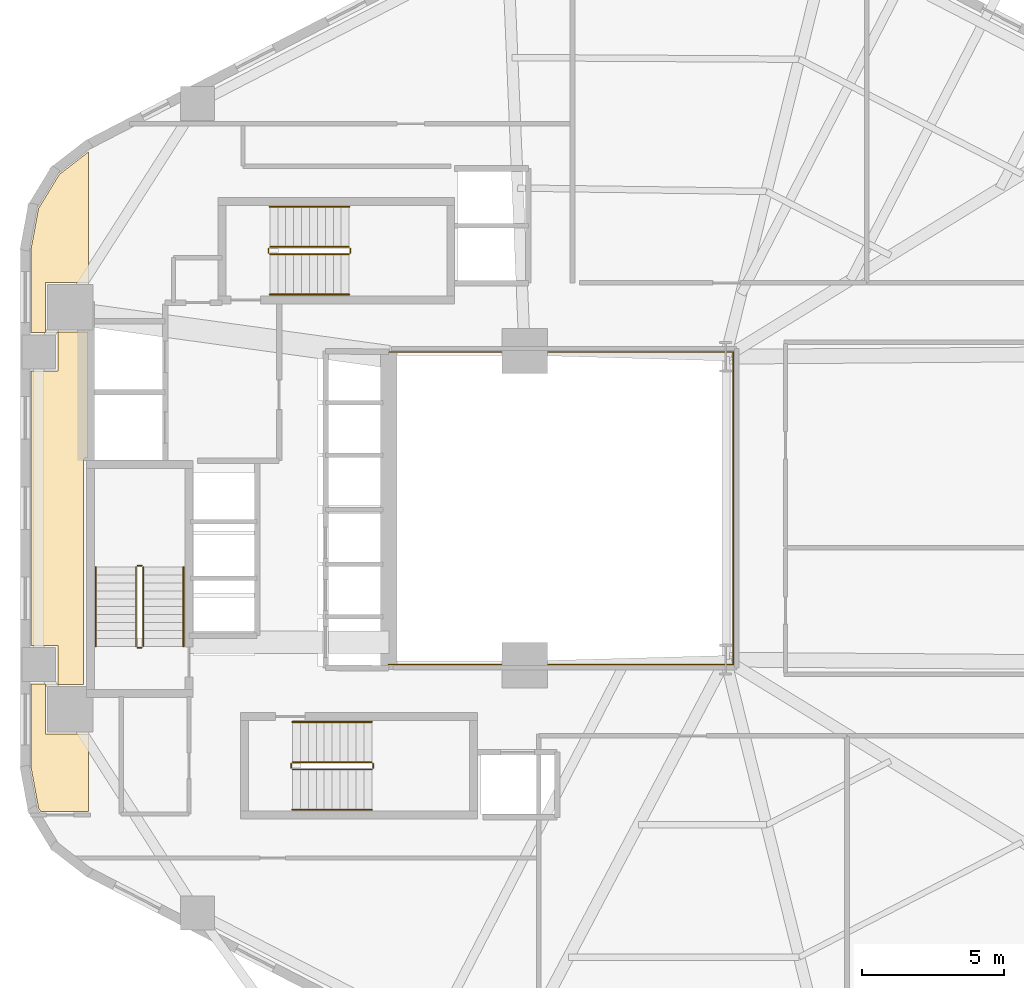
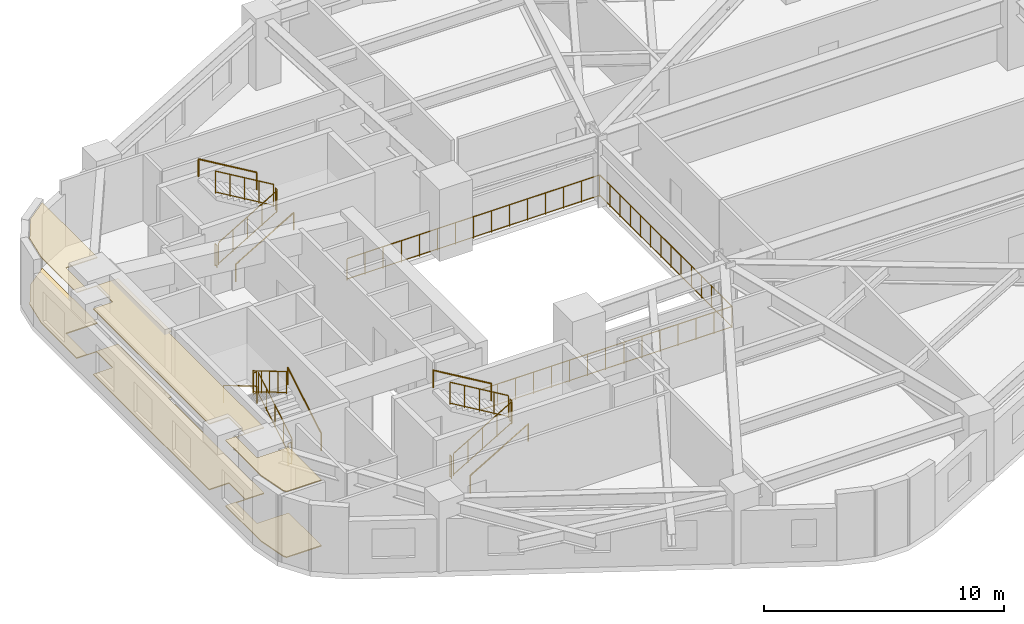
# One storey, part 6 of 6: 19 railings, 2 coverings.
"""IFC4 building model written with IfcOpenShell, lengths in metres."""

from ifc_helpers import new_model, si_unit, direction, frame, origin, origin_2d, place, context, subcontext, project, spatial, polyline, circle, outline, extrude, material, layer, layer_set, type_object, element, save


model = new_model("IFC4")

# Units and contexts
model_context = context("Model", 3, precision=1e-05, world=origin(), true_north=direction((0.0, 1.0)))
body_context = subcontext(model_context, "Body", "Model", "MODEL_VIEW")
ifc_project = project(units=[si_unit("LENGTHUNIT", "METRE"), si_unit("AREAUNIT", "SQUARE_METRE"), si_unit("VOLUMEUNIT", "CUBIC_METRE"), si_unit("PLANEANGLEUNIT", "RADIAN"), si_unit("MASSUNIT", "GRAM", prefix="KILO"), si_unit("THERMODYNAMICTEMPERATUREUNIT", "KELVIN"), si_unit("POWERUNIT", "WATT")], contexts=[model_context])

# Site, building, storey
site_placement = place(None, origin())
site = spatial("IfcSite", under=ifc_project, at=site_placement, CompositionType="ELEMENT")
building_placement = place(site_placement, origin())
building = spatial("IfcBuilding", under=site, at=building_placement, Name="Skarre Station Tower", CompositionType="ELEMENT")
storey_placement = place(building_placement, frame((0.0, 0.0, 34.300048828125)))
storey = spatial("IfcBuildingStorey", under=building, at=storey_placement, Name="L08", CompositionType="ELEMENT", Elevation=34.300048828125)

# Railing
ifc_material_1 = material(Name="Bronze Anodized Steel & Laminated Glass Balustrade", Category="steel")
railing_type_1 = type_object("IfcRailingType", Name="Atrium Void & Mezzanine Guard Balustrade 1120", PredefinedType="GUARDRAIL", material=ifc_material_1)
railing_1_placement = place(storey_placement, frame((27.550048828125, 18.47998046875, 0.0)))
element("IfcRailing", 1, at=railing_1_placement, inside=storey, type_object=railing_type_1, Name="L08 Atrium Void Guard Balustrade", PredefinedType="GUARDRAIL", context=body_context, shape_type="SweptSolid", body=[
    extrude(circle(Radius=0.02392578125, at=origin_2d()), frame((0.0, 0.0, 1.09619140625), z_axis=(1.0, 0.0, 0.0), x_axis=(0.0, 1.0, 0.0)), (0.0, 0.0, 1.0), 12.169921875),
    extrude(circle(Radius=0.02099609375, at=origin_2d()), frame((0.0, 0.0, 0.06005859375), z_axis=(1.0, 0.0, 0.0), x_axis=(0.0, 1.0, 0.0)), (0.0, 0.0, 1.0), 12.169921875),
    extrude(circle(Radius=0.02392578125, at=origin_2d()), frame((12.169921875, 0.0, 1.09619140625), z_axis=(0.0, 1.0, 0.0), x_axis=(-1.0, 0.0, 0.0)), (0.0, 0.0, 1.0), 11.0400390625),
    extrude(circle(Radius=0.02099609375, at=origin_2d()), frame((12.169921875, 0.0, 0.06005859375), z_axis=(0.0, 1.0, 0.0), x_axis=(-1.0, 0.0, 0.0)), (0.0, 0.0, 1.0), 11.0400390625),
    extrude(circle(Radius=0.02392578125, at=origin_2d()), frame((12.169921875, 11.0400390625, 1.09619140625), z_axis=(-1.0, 0.0, 0.0), x_axis=(0.0, -1.0, 0.0)), (0.0, 0.0, 1.0), 12.169921875),
    extrude(circle(Radius=0.02099609375, at=origin_2d()), frame((12.169921875, 11.0400390625, 0.06005859375), z_axis=(-1.0, 0.0, 0.0), x_axis=(0.0, -1.0, 0.0)), (0.0, 0.0, 1.0), 12.169921875),
    extrude(circle(Radius=0.02099609375, at=origin_2d()), origin(), (0.0, 0.0, 1.0), 1.072021484375),
    extrude(circle(Radius=0.02099609375, at=origin_2d()), frame((0.869384765625, 0.0, 0.0)), (0.0, 0.0, 1.0), 1.072021484375),
    extrude(circle(Radius=0.02099609375, at=origin_2d()), frame((1.738525390625, 0.0, 0.0)), (0.0, 0.0, 1.0), 1.072021484375),
    extrude(circle(Radius=0.02099609375, at=origin_2d()), frame((2.60791015625, 0.0, 0.0)), (0.0, 0.0, 1.0), 1.072021484375),
    extrude(circle(Radius=0.02099609375, at=origin_2d()), frame((3.47705078125, 0.0, 0.0)), (0.0, 0.0, 1.0), 1.072021484375),
    extrude(circle(Radius=0.02099609375, at=origin_2d()), frame((4.346435546875, 0.0, 0.0)), (0.0, 0.0, 1.0), 1.072021484375),
    extrude(circle(Radius=0.02099609375, at=origin_2d()), frame((5.215576171875, 0.0, 0.0)), (0.0, 0.0, 1.0), 1.072021484375),
    extrude(circle(Radius=0.02099609375, at=origin_2d()), frame((6.0849609375, 0.0, 0.0)), (0.0, 0.0, 1.0), 1.072021484375),
    extrude(circle(Radius=0.02099609375, at=origin_2d()), frame((6.954345703125, 0.0, 0.0)), (0.0, 0.0, 1.0), 1.072021484375),
    extrude(circle(Radius=0.02099609375, at=origin_2d()), frame((7.823486328125, 0.0, 0.0)), (0.0, 0.0, 1.0), 1.072021484375),
    extrude(circle(Radius=0.02099609375, at=origin_2d()), frame((8.69287109375, 0.0, 0.0)), (0.0, 0.0, 1.0), 1.072021484375),
    extrude(circle(Radius=0.02099609375, at=origin_2d()), frame((9.56201171875, 0.0, 0.0)), (0.0, 0.0, 1.0), 1.072021484375),
    extrude(circle(Radius=0.02099609375, at=origin_2d()), frame((10.431396484375, 0.0, 0.0)), (0.0, 0.0, 1.0), 1.072021484375),
    extrude(circle(Radius=0.02099609375, at=origin_2d()), frame((11.300537109375, 0.0, 0.0)), (0.0, 0.0, 1.0), 1.072021484375),
    extrude(circle(Radius=0.02099609375, at=origin_2d()), frame((12.169921875, 0.0, 0.0)), (0.0, 0.0, 1.0), 1.072021484375),
    extrude(circle(Radius=0.02099609375, at=origin_2d()), frame((12.169921875, 0.84912109375, 0.0)), (0.0, 0.0, 1.0), 1.072021484375),
    extrude(circle(Radius=0.02099609375, at=origin_2d()), frame((12.169921875, 1.698486328125, 0.0)), (0.0, 0.0, 1.0), 1.072021484375),
    extrude(circle(Radius=0.02099609375, at=origin_2d()), frame((12.169921875, 2.547607421875, 0.0)), (0.0, 0.0, 1.0), 1.072021484375),
    extrude(circle(Radius=0.02099609375, at=origin_2d()), frame((12.169921875, 3.39697265625, 0.0)), (0.0, 0.0, 1.0), 1.072021484375),
    extrude(circle(Radius=0.02099609375, at=origin_2d()), frame((12.169921875, 4.24609375, 0.0)), (0.0, 0.0, 1.0), 1.072021484375),
    extrude(circle(Radius=0.02099609375, at=origin_2d()), frame((12.169921875, 5.095458984375, 0.0)), (0.0, 0.0, 1.0), 1.072021484375),
    extrude(circle(Radius=0.02099609375, at=origin_2d()), frame((12.169921875, 5.944580078125, 0.0)), (0.0, 0.0, 1.0), 1.072021484375),
    extrude(circle(Radius=0.02099609375, at=origin_2d()), frame((12.169921875, 6.7939453125, 0.0)), (0.0, 0.0, 1.0), 1.072021484375),
    extrude(circle(Radius=0.02099609375, at=origin_2d()), frame((12.169921875, 7.64306640625, 0.0)), (0.0, 0.0, 1.0), 1.072021484375),
    extrude(circle(Radius=0.02099609375, at=origin_2d()), frame((12.169921875, 8.492431640625, 0.0)), (0.0, 0.0, 1.0), 1.072021484375),
    extrude(circle(Radius=0.02099609375, at=origin_2d()), frame((12.169921875, 9.341552734375, 0.0)), (0.0, 0.0, 1.0), 1.072021484375),
    extrude(circle(Radius=0.02099609375, at=origin_2d()), frame((12.169921875, 10.19091796875, 0.0)), (0.0, 0.0, 1.0), 1.072021484375),
    extrude(circle(Radius=0.02099609375, at=origin_2d()), frame((12.169921875, 11.0400390625, 0.0)), (0.0, 0.0, 1.0), 1.072021484375),
    extrude(circle(Radius=0.02099609375, at=origin_2d()), frame((11.300537109375, 11.0400390625, 0.0)), (0.0, 0.0, 1.0), 1.072021484375),
    extrude(circle(Radius=0.02099609375, at=origin_2d()), frame((10.431396484375, 11.0400390625, 0.0)), (0.0, 0.0, 1.0), 1.072021484375),
    extrude(circle(Radius=0.02099609375, at=origin_2d()), frame((9.56201171875, 11.0400390625, 0.0)), (0.0, 0.0, 1.0), 1.072021484375),
    extrude(circle(Radius=0.02099609375, at=origin_2d()), frame((8.69287109375, 11.0400390625, 0.0)), (0.0, 0.0, 1.0), 1.072021484375),
    extrude(circle(Radius=0.02099609375, at=origin_2d()), frame((7.823486328125, 11.0400390625, 0.0)), (0.0, 0.0, 1.0), 1.072021484375),
    extrude(circle(Radius=0.02099609375, at=origin_2d()), frame((6.954345703125, 11.0400390625, 0.0)), (0.0, 0.0, 1.0), 1.072021484375),
    extrude(circle(Radius=0.02099609375, at=origin_2d()), frame((6.0849609375, 11.0400390625, 0.0)), (0.0, 0.0, 1.0), 1.072021484375),
    extrude(circle(Radius=0.02099609375, at=origin_2d()), frame((5.215576171875, 11.0400390625, 0.0)), (0.0, 0.0, 1.0), 1.072021484375),
    extrude(circle(Radius=0.02099609375, at=origin_2d()), frame((4.346435546875, 11.0400390625, 0.0)), (0.0, 0.0, 1.0), 1.072021484375),
    extrude(circle(Radius=0.02099609375, at=origin_2d()), frame((3.47705078125, 11.0400390625, 0.0)), (0.0, 0.0, 1.0), 1.072021484375),
    extrude(circle(Radius=0.02099609375, at=origin_2d()), frame((2.60791015625, 11.0400390625, 0.0)), (0.0, 0.0, 1.0), 1.072021484375),
    extrude(circle(Radius=0.02099609375, at=origin_2d()), frame((1.738525390625, 11.0400390625, 0.0)), (0.0, 0.0, 1.0), 1.072021484375),
    extrude(circle(Radius=0.02099609375, at=origin_2d()), frame((0.869384765625, 11.0400390625, 0.0)), (0.0, 0.0, 1.0), 1.072021484375),
    extrude(circle(Radius=0.02099609375, at=origin_2d()), frame((0.0, 11.0400390625, 0.0)), (0.0, 0.0, 1.0), 1.072021484375),
])

# Coverings
ifc_material_2 = material(Name="Honed Jura Limestone & Calcium-Sulfate Access Tile", Category="masonry")
ifc_layer_1 = layer(ifc_material_2, 0.050048828125, Name="Honed Jura Limestone & Calcium-Sulfate Access Tile")
ifc_layer_set_1 = layer_set([ifc_layer_1], Name="Honed Jura Limestone & Calcium-Sulfate Access Tile")
covering_type_1 = type_object("IfcCoveringType", Name="Honed Limestone & Raised Access Floor Finish 50", PredefinedType="FLOORING", material=ifc_layer_set_1)
covering_1_placement = place(storey_placement, origin())
element("IfcCovering", 2, at=covering_1_placement, inside=storey, type_object=covering_type_1, Name="L08 Limestone Access Flooring 1", PredefinedType="FLOORING", context=body_context, shape_type="SweptSolid", body=[
    extrude(outline(polyline([(16.93994140625, 36.583984375), (15.910888671875, 35.787109375), (15.178955078125, 34.5859375), (14.9169921875, 33.1669921875), (14.9169921875, 30.200927734375), (15.866943359375, 30.200927734375), (15.866943359375, 28.841064453125), (14.9169921875, 28.841064453125), (14.9169921875, 19.158935546875), (15.866943359375, 19.158935546875), (15.866943359375, 17.799072265625), (14.9169921875, 17.799072265625), (14.9169921875, 14.8330078125), (15.178955078125, 13.4140625), (15.260986328125, 13.280029296875), (16.93994140625, 13.280029296875), (16.93994140625, 16.02001953125), (15.419921875, 16.02001953125), (15.419921875, 17.780029296875), (16.77001953125, 17.780029296875), (16.77001953125, 25.699951171875), (16.77001953125, 25.7080078125), (16.77197265625, 25.716064453125), (16.77294921875, 25.722900390625), (16.77587890625, 25.73095703125), (16.779052734375, 25.738037109375), (16.782958984375, 25.743896484375), (16.7880859375, 25.7509765625), (16.79296875, 25.757080078125), (16.799072265625, 25.761962890625), (16.805908203125, 25.76708984375), (16.81201171875, 25.77099609375), (16.819091796875, 25.77392578125), (16.826904296875, 25.777099609375), (16.833984375, 25.778076171875), (16.842041015625, 25.780029296875), (16.85009765625, 25.780029296875), (16.919921875, 25.780029296875), (16.919921875, 30.219970703125), (15.419921875, 30.219970703125), (15.419921875, 31.97998046875), (16.93994140625, 31.97998046875), (16.93994140625, 36.583984375)])), origin(), (0.0, 0.0, 1.0), 0.050048828125),
])
ifc_material_3 = material(Name="Perforated Nordic Birch Veneer & Mineral Wool", Category="wood")
ifc_layer_2 = layer(ifc_material_3, 0.044921875, Name="Perforated Nordic Birch Veneer & Mineral Wool")
ifc_layer_set_2 = layer_set([ifc_layer_2], Name="Perforated Nordic Birch Veneer & Mineral Wool")
covering_type_2 = type_object("IfcCoveringType", Name="Nordic Birch Slatted Acoustic Suspended Ceiling 45", PredefinedType="CEILING", material=ifc_layer_set_2)
covering_2_placement = place(storey_placement, frame((0.0, 0.0, 3.344970703125)))
element("IfcCovering", 3, at=covering_2_placement, inside=storey, type_object=covering_type_2, Name="L08 Acoustic Birch Ceiling 1", PredefinedType="CEILING", context=body_context, shape_type="SweptSolid", body=[
    extrude(outline(polyline([(16.93994140625, 36.583984375), (15.910888671875, 35.787109375), (15.178955078125, 34.5859375), (14.9169921875, 33.1669921875), (14.9169921875, 30.200927734375), (15.866943359375, 30.200927734375), (15.866943359375, 28.841064453125), (14.9169921875, 28.841064453125), (14.9169921875, 19.158935546875), (15.866943359375, 19.158935546875), (15.866943359375, 17.799072265625), (14.9169921875, 17.799072265625), (14.9169921875, 14.8330078125), (15.178955078125, 13.4140625), (15.260986328125, 13.280029296875), (16.93994140625, 13.280029296875), (16.93994140625, 16.02001953125), (15.419921875, 16.02001953125), (15.419921875, 17.780029296875), (16.77001953125, 17.780029296875), (16.77001953125, 25.699951171875), (16.77001953125, 25.7080078125), (16.77197265625, 25.716064453125), (16.77294921875, 25.722900390625), (16.77587890625, 25.73095703125), (16.779052734375, 25.738037109375), (16.782958984375, 25.743896484375), (16.7880859375, 25.7509765625), (16.79296875, 25.757080078125), (16.799072265625, 25.761962890625), (16.805908203125, 25.76708984375), (16.81201171875, 25.77099609375), (16.819091796875, 25.77392578125), (16.826904296875, 25.777099609375), (16.833984375, 25.778076171875), (16.842041015625, 25.780029296875), (16.85009765625, 25.780029296875), (16.919921875, 25.780029296875), (16.919921875, 30.219970703125), (15.419921875, 30.219970703125), (15.419921875, 31.97998046875), (16.93994140625, 31.97998046875), (16.93994140625, 36.583984375)])), origin(), (0.0, 0.0, 1.0), 0.044921875),
])

# Railings
ifc_material_4 = material(Name="Powder-Coated Tubular Steel", Category="steel")
railing_type_2 = type_object("IfcRailingType", Name="Painted Steel Ramp & Stair Handrail 920", PredefinedType="HANDRAIL", material=ifc_material_4)
railing_2_placement = place(storey_placement, frame((20.300048828125, 19.1201171875, 0.165771484375)))
element("IfcRailing", 4, at=railing_2_placement, inside=storey, type_object=railing_type_2, Name="L08 ST-1 stair handrail 1", PredefinedType="HANDRAIL", context=body_context, shape_type="SweptSolid", body=[
    extrude(circle(Radius=0.02392578125, at=origin_2d()), frame((0.0, 0.0, 0.8759765625), z_axis=(0.0, 0.860286659441, 0.509810615413), x_axis=(-1.0, 0.0, 0.0)), (0.0, 0.0, 1.0), 3.25439453125),
    extrude(circle(Radius=0.02099609375, at=origin_2d()), origin(), (0.0, 0.0, 1.0), 0.851806640625),
    extrude(circle(Radius=0.02099609375, at=origin_2d()), frame((0.0, 2.7998046875, 1.6591796875)), (0.0, 0.0, 1.0), 0.851806640625),
])
railing_3_placement = place(storey_placement, frame((17.199951171875, 21.919921875, 1.990966796875)))
element("IfcRailing", 5, at=railing_3_placement, inside=storey, type_object=railing_type_2, Name="L08 ST-1 stair handrail 2", PredefinedType="HANDRAIL", context=body_context, shape_type="SweptSolid", body=[
    extrude(circle(Radius=0.02392578125, at=origin_2d()), frame((0.0, 0.0, 0.8759765625), z_axis=(0.0, -0.860319559791, 0.509755093197), x_axis=(1.0, 0.0, 0.0)), (0.0, 0.0, 1.0), 3.25439453125),
    extrude(circle(Radius=0.02099609375, at=origin_2d()), origin(), (0.0, 0.0, 1.0), 0.851806640625),
    extrude(circle(Radius=0.02099609375, at=origin_2d()), frame((0.0, -2.7998046875, 1.658935546875)), (0.0, 0.0, 1.0), 0.851806640625),
])
railing_4_placement = place(storey_placement, frame((24.14990234375, 13.35009765625, 0.165771484375)))
element("IfcRailing", 6, at=railing_4_placement, inside=storey, type_object=railing_type_2, Name="L08 ST-2 stair handrail 1", PredefinedType="HANDRAIL", context=body_context, shape_type="SweptSolid", body=[
    extrude(circle(Radius=0.02392578125, at=origin_2d()), frame((0.0, 0.0, 0.8759765625), z_axis=(0.860306154799, 0.0, 0.50977771628), x_axis=(0.0, 1.0, 0.0)), (0.0, 0.0, 1.0), 3.254638671875),
    extrude(circle(Radius=0.02099609375, at=origin_2d()), origin(), (0.0, 0.0, 1.0), 0.851806640625),
    extrude(circle(Radius=0.02099609375, at=origin_2d()), frame((2.800048828125, 0.0, 1.6591796875)), (0.0, 0.0, 1.0), 0.851806640625),
])
railing_5_placement = place(storey_placement, frame((26.949951171875, 16.449951171875, 1.990966796875)))
element("IfcRailing", 7, at=railing_5_placement, inside=storey, type_object=railing_type_2, Name="L08 ST-2 stair handrail 2", PredefinedType="HANDRAIL", context=body_context, shape_type="SweptSolid", body=[
    extrude(circle(Radius=0.02392578125, at=origin_2d()), frame((0.0, 0.0, 0.8759765625), z_axis=(-0.860339051648, 0.0, 0.50972219513), x_axis=(0.0, -1.0, 0.0)), (0.0, 0.0, 1.0), 3.254638671875),
    extrude(circle(Radius=0.02099609375, at=origin_2d()), origin(), (0.0, 0.0, 1.0), 0.851806640625),
    extrude(circle(Radius=0.02099609375, at=origin_2d()), frame((-2.800048828125, 0.0, 1.658935546875)), (0.0, 0.0, 1.0), 0.851806640625),
])
railing_6_placement = place(storey_placement, frame((23.35009765625, 31.550048828125, 0.165771484375)))
element("IfcRailing", 8, at=railing_6_placement, inside=storey, type_object=railing_type_2, Name="L08 ST-3 stair handrail 1", PredefinedType="HANDRAIL", context=body_context, shape_type="SweptSolid", body=[
    extrude(circle(Radius=0.02392578125, at=origin_2d()), frame((0.0, 0.0, 0.8759765625), z_axis=(0.860286659441, 0.0, 0.509810615413), x_axis=(0.0, 1.0, 0.0)), (0.0, 0.0, 1.0), 3.25439453125),
    extrude(circle(Radius=0.02099609375, at=origin_2d()), origin(), (0.0, 0.0, 1.0), 0.851806640625),
    extrude(circle(Radius=0.02099609375, at=origin_2d()), frame((2.7998046875, 0.0, 1.6591796875)), (0.0, 0.0, 1.0), 0.851806640625),
])
railing_7_placement = place(storey_placement, frame((26.14990234375, 34.64990234375, 1.990966796875)))
element("IfcRailing", 9, at=railing_7_placement, inside=storey, type_object=railing_type_2, Name="L08 ST-3 stair handrail 2", PredefinedType="HANDRAIL", context=body_context, shape_type="SweptSolid", body=[
    extrude(circle(Radius=0.02392578125, at=origin_2d()), frame((0.0, 0.0, 0.8759765625), z_axis=(-0.860319559791, 0.0, 0.509755093197), x_axis=(0.0, -1.0, 0.0)), (0.0, 0.0, 1.0), 3.25439453125),
    extrude(circle(Radius=0.02099609375, at=origin_2d()), origin(), (0.0, 0.0, 1.0), 0.851806640625),
    extrude(circle(Radius=0.02099609375, at=origin_2d()), frame((-2.7998046875, 0.0, 1.658935546875)), (0.0, 0.0, 1.0), 0.851806640625),
])
railing_type_3 = type_object("IfcRailingType", Name="Painted Steel Stairwell Guardrail 1100", PredefinedType="GUARDRAIL", material=ifc_material_4)
railing_8_placement = place(storey_placement, frame((18.8798828125, 19.1201171875, 0.165771484375)))
element("IfcRailing", 10, at=railing_8_placement, inside=storey, type_object=railing_type_3, Name="L08 ST-1 stair guard 1", PredefinedType="GUARDRAIL", context=body_context, shape_type="SweptSolid", body=[
    extrude(circle(Radius=0.02392578125, at=origin_2d()), frame((0.0, 0.0, 1.1259765625), z_axis=(0.0, 0.860286659441, 0.509810615413), x_axis=(-1.0, 0.0, 0.0)), (0.0, 0.0, 1.0), 3.25439453125),
    extrude(circle(Radius=0.02099609375, at=origin_2d()), frame((0.0, 0.0, 0.06005859375), z_axis=(0.0, 0.860286659441, 0.509810615413), x_axis=(-1.0, 0.0, 0.0)), (0.0, 0.0, 1.0), 3.25439453125),
    extrude(circle(Radius=0.02099609375, at=origin_2d()), origin(), (0.0, 0.0, 1.0), 1.101806640625),
    extrude(circle(Radius=0.02099609375, at=origin_2d()), frame((0.0, 0.699951171875, 0.414794921875)), (0.0, 0.0, 1.0), 1.101806640625),
    extrude(circle(Radius=0.02099609375, at=origin_2d()), frame((0.0, 1.39990234375, 0.82958984375)), (0.0, 0.0, 1.0), 1.101806640625),
    extrude(circle(Radius=0.02099609375, at=origin_2d()), frame((0.0, 2.099853515625, 1.244384765625)), (0.0, 0.0, 1.0), 1.101806640625),
    extrude(circle(Radius=0.02099609375, at=origin_2d()), frame((0.0, 2.7998046875, 1.6591796875)), (0.0, 0.0, 1.0), 1.101806640625),
])
railing_9_placement = place(storey_placement, frame((18.830078125, 21.969970703125, 1.824951171875)))
element("IfcRailing", 11, at=railing_9_placement, inside=storey, type_object=railing_type_3, Name="L08 ST-1 stair guard 2", PredefinedType="GUARDRAIL", context=body_context, shape_type="SweptSolid", body=[
    extrude(circle(Radius=0.02392578125, at=origin_2d()), frame((0.0, 0.0, 1.1259765625), z_axis=(-1.0, 0.0, 0.0), x_axis=(0.0, -1.0, 0.0)), (0.0, 0.0, 1.0), 0.16015625),
    extrude(circle(Radius=0.02099609375, at=origin_2d()), frame((0.0, 0.0, 0.06005859375), z_axis=(-1.0, 0.0, 0.0), x_axis=(0.0, -1.0, 0.0)), (0.0, 0.0, 1.0), 0.16015625),
    extrude(circle(Radius=0.02099609375, at=origin_2d()), origin(), (0.0, 0.0, 1.0), 1.101806640625),
    extrude(circle(Radius=0.02099609375, at=origin_2d()), frame((-0.16015625, 0.0, 0.0)), (0.0, 0.0, 1.0), 1.101806640625),
])
railing_10_placement = place(storey_placement, frame((18.6201171875, 21.919921875, 1.990966796875)))
element("IfcRailing", 12, at=railing_10_placement, inside=storey, type_object=railing_type_3, Name="L08 ST-1 stair guard 3", PredefinedType="GUARDRAIL", context=body_context, shape_type="SweptSolid", body=[
    extrude(circle(Radius=0.02392578125, at=origin_2d()), frame((0.0, 0.0, 1.1259765625), z_axis=(0.0, -0.860319559791, 0.509755093197), x_axis=(1.0, 0.0, 0.0)), (0.0, 0.0, 1.0), 3.25439453125),
    extrude(circle(Radius=0.02099609375, at=origin_2d()), frame((0.0, 0.0, 0.06005859375), z_axis=(0.0, -0.860319559791, 0.509755093197), x_axis=(1.0, 0.0, 0.0)), (0.0, 0.0, 1.0), 3.25439453125),
    extrude(circle(Radius=0.02099609375, at=origin_2d()), origin(), (0.0, 0.0, 1.0), 1.101806640625),
    extrude(circle(Radius=0.02099609375, at=origin_2d()), frame((0.0, -0.699951171875, 0.414794921875)), (0.0, 0.0, 1.0), 1.101806640625),
    extrude(circle(Radius=0.02099609375, at=origin_2d()), frame((0.0, -1.39990234375, 0.82958984375)), (0.0, 0.0, 1.0), 1.101806640625),
    extrude(circle(Radius=0.02099609375, at=origin_2d()), frame((0.0, -2.099853515625, 1.244140625)), (0.0, 0.0, 1.0), 1.101806640625),
    extrude(circle(Radius=0.02099609375, at=origin_2d()), frame((0.0, -2.7998046875, 1.658935546875)), (0.0, 0.0, 1.0), 1.101806640625),
])
railing_11_placement = place(storey_placement, frame((18.830078125, 19.070068359375, 0.0)))
element("IfcRailing", 13, at=railing_11_placement, inside=storey, type_object=railing_type_3, Name="L08 ST-1 stair guard 4", PredefinedType="GUARDRAIL", context=body_context, shape_type="SweptSolid", body=[
    extrude(circle(Radius=0.02392578125, at=origin_2d()), frame((0.0, 0.0, 1.1259765625), z_axis=(-1.0, 0.0, 0.0), x_axis=(0.0, -1.0, 0.0)), (0.0, 0.0, 1.0), 0.16015625),
    extrude(circle(Radius=0.02099609375, at=origin_2d()), frame((0.0, 0.0, 0.06005859375), z_axis=(-1.0, 0.0, 0.0), x_axis=(0.0, -1.0, 0.0)), (0.0, 0.0, 1.0), 0.16015625),
    extrude(circle(Radius=0.02099609375, at=origin_2d()), origin(), (0.0, 0.0, 1.0), 1.101806640625),
    extrude(circle(Radius=0.02099609375, at=origin_2d()), frame((-0.16015625, 0.0, 0.0)), (0.0, 0.0, 1.0), 1.101806640625),
])
railing_12_placement = place(storey_placement, frame((24.14990234375, 14.77001953125, 0.165771484375)))
element("IfcRailing", 14, at=railing_12_placement, inside=storey, type_object=railing_type_3, Name="L08 ST-2 stair guard 1", PredefinedType="GUARDRAIL", context=body_context, shape_type="SweptSolid", body=[
    extrude(circle(Radius=0.02392578125, at=origin_2d()), frame((0.0, 0.0, 1.1259765625), z_axis=(0.860306154799, 0.0, 0.50977771628), x_axis=(0.0, 1.0, 0.0)), (0.0, 0.0, 1.0), 3.254638671875),
    extrude(circle(Radius=0.02099609375, at=origin_2d()), frame((0.0, 0.0, 0.06005859375), z_axis=(0.860306154799, 0.0, 0.50977771628), x_axis=(0.0, 1.0, 0.0)), (0.0, 0.0, 1.0), 3.254638671875),
    extrude(circle(Radius=0.02099609375, at=origin_2d()), origin(), (0.0, 0.0, 1.0), 1.101806640625),
    extrude(circle(Radius=0.02099609375, at=origin_2d()), frame((0.699951171875, 0.0, 0.414794921875)), (0.0, 0.0, 1.0), 1.101806640625),
    extrude(circle(Radius=0.02099609375, at=origin_2d()), frame((1.39990234375, 0.0, 0.82958984375)), (0.0, 0.0, 1.0), 1.101806640625),
    extrude(circle(Radius=0.02099609375, at=origin_2d()), frame((2.10009765625, 0.0, 1.244384765625)), (0.0, 0.0, 1.0), 1.101806640625),
    extrude(circle(Radius=0.02099609375, at=origin_2d()), frame((2.800048828125, 0.0, 1.6591796875)), (0.0, 0.0, 1.0), 1.101806640625),
])
railing_13_placement = place(storey_placement, frame((27.0, 14.820068359375, 1.824951171875)))
element("IfcRailing", 15, at=railing_13_placement, inside=storey, type_object=railing_type_3, Name="L08 ST-2 stair guard 2", PredefinedType="GUARDRAIL", context=body_context, shape_type="SweptSolid", body=[
    extrude(circle(Radius=0.02392578125, at=origin_2d()), frame((0.0, 0.0, 1.1259765625), z_axis=(0.0, 1.0, 0.0), x_axis=(-1.0, 0.0, 0.0)), (0.0, 0.0, 1.0), 0.159912109375),
    extrude(circle(Radius=0.02099609375, at=origin_2d()), frame((0.0, 0.0, 0.06005859375), z_axis=(0.0, 1.0, 0.0), x_axis=(-1.0, 0.0, 0.0)), (0.0, 0.0, 1.0), 0.159912109375),
    extrude(circle(Radius=0.02099609375, at=origin_2d()), origin(), (0.0, 0.0, 1.0), 1.101806640625),
    extrude(circle(Radius=0.02099609375, at=origin_2d()), frame((0.0, 0.159912109375, 0.0)), (0.0, 0.0, 1.0), 1.101806640625),
])
railing_14_placement = place(storey_placement, frame((26.949951171875, 15.030029296875, 1.990966796875)))
element("IfcRailing", 16, at=railing_14_placement, inside=storey, type_object=railing_type_3, Name="L08 ST-2 stair guard 3", PredefinedType="GUARDRAIL", context=body_context, shape_type="SweptSolid", body=[
    extrude(circle(Radius=0.02392578125, at=origin_2d()), frame((0.0, 0.0, 1.1259765625), z_axis=(-0.860339051648, 0.0, 0.50972219513), x_axis=(0.0, -1.0, 0.0)), (0.0, 0.0, 1.0), 3.254638671875),
    extrude(circle(Radius=0.02099609375, at=origin_2d()), frame((0.0, 0.0, 0.06005859375), z_axis=(-0.860339051648, 0.0, 0.50972219513), x_axis=(0.0, -1.0, 0.0)), (0.0, 0.0, 1.0), 3.254638671875),
    extrude(circle(Radius=0.02099609375, at=origin_2d()), origin(), (0.0, 0.0, 1.0), 1.101806640625),
    extrude(circle(Radius=0.02099609375, at=origin_2d()), frame((-0.699951171875, 0.0, 0.414794921875)), (0.0, 0.0, 1.0), 1.101806640625),
    extrude(circle(Radius=0.02099609375, at=origin_2d()), frame((-1.39990234375, 0.0, 0.82958984375)), (0.0, 0.0, 1.0), 1.101806640625),
    extrude(circle(Radius=0.02099609375, at=origin_2d()), frame((-2.10009765625, 0.0, 1.244140625)), (0.0, 0.0, 1.0), 1.101806640625),
    extrude(circle(Radius=0.02099609375, at=origin_2d()), frame((-2.800048828125, 0.0, 1.658935546875)), (0.0, 0.0, 1.0), 1.101806640625),
])
railing_15_placement = place(storey_placement, frame((24.10009765625, 14.820068359375, 0.0)))
element("IfcRailing", 17, at=railing_15_placement, inside=storey, type_object=railing_type_3, Name="L08 ST-2 stair guard 4", PredefinedType="GUARDRAIL", context=body_context, shape_type="SweptSolid", body=[
    extrude(circle(Radius=0.02392578125, at=origin_2d()), frame((0.0, 0.0, 1.1259765625), z_axis=(0.0, 1.0, 0.0), x_axis=(-1.0, 0.0, 0.0)), (0.0, 0.0, 1.0), 0.159912109375),
    extrude(circle(Radius=0.02099609375, at=origin_2d()), frame((0.0, 0.0, 0.06005859375), z_axis=(0.0, 1.0, 0.0), x_axis=(-1.0, 0.0, 0.0)), (0.0, 0.0, 1.0), 0.159912109375),
    extrude(circle(Radius=0.02099609375, at=origin_2d()), origin(), (0.0, 0.0, 1.0), 1.101806640625),
    extrude(circle(Radius=0.02099609375, at=origin_2d()), frame((0.0, 0.159912109375, 0.0)), (0.0, 0.0, 1.0), 1.101806640625),
])
railing_16_placement = place(storey_placement, frame((23.35009765625, 32.969970703125, 0.165771484375)))
element("IfcRailing", 18, at=railing_16_placement, inside=storey, type_object=railing_type_3, Name="L08 ST-3 stair guard 1", PredefinedType="GUARDRAIL", context=body_context, shape_type="SweptSolid", body=[
    extrude(circle(Radius=0.02392578125, at=origin_2d()), frame((0.0, 0.0, 1.1259765625), z_axis=(0.860286659441, 0.0, 0.509810615413), x_axis=(0.0, 1.0, 0.0)), (0.0, 0.0, 1.0), 3.25439453125),
    extrude(circle(Radius=0.02099609375, at=origin_2d()), frame((0.0, 0.0, 0.06005859375), z_axis=(0.860286659441, 0.0, 0.509810615413), x_axis=(0.0, 1.0, 0.0)), (0.0, 0.0, 1.0), 3.25439453125),
    extrude(circle(Radius=0.02099609375, at=origin_2d()), origin(), (0.0, 0.0, 1.0), 1.101806640625),
    extrude(circle(Radius=0.02099609375, at=origin_2d()), frame((0.699951171875, 0.0, 0.414794921875)), (0.0, 0.0, 1.0), 1.101806640625),
    extrude(circle(Radius=0.02099609375, at=origin_2d()), frame((1.39990234375, 0.0, 0.82958984375)), (0.0, 0.0, 1.0), 1.101806640625),
    extrude(circle(Radius=0.02099609375, at=origin_2d()), frame((2.099853515625, 0.0, 1.244384765625)), (0.0, 0.0, 1.0), 1.101806640625),
    extrude(circle(Radius=0.02099609375, at=origin_2d()), frame((2.7998046875, 0.0, 1.6591796875)), (0.0, 0.0, 1.0), 1.101806640625),
])
railing_17_placement = place(storey_placement, frame((26.199951171875, 33.02001953125, 1.824951171875)))
element("IfcRailing", 19, at=railing_17_placement, inside=storey, type_object=railing_type_3, Name="L08 ST-3 stair guard 2", PredefinedType="GUARDRAIL", context=body_context, shape_type="SweptSolid", body=[
    extrude(circle(Radius=0.02392578125, at=origin_2d()), frame((0.0, 0.0, 1.1259765625), z_axis=(0.0, 1.0, 0.0), x_axis=(-1.0, 0.0, 0.0)), (0.0, 0.0, 1.0), 0.159912109375),
    extrude(circle(Radius=0.02099609375, at=origin_2d()), frame((0.0, 0.0, 0.06005859375), z_axis=(0.0, 1.0, 0.0), x_axis=(-1.0, 0.0, 0.0)), (0.0, 0.0, 1.0), 0.159912109375),
    extrude(circle(Radius=0.02099609375, at=origin_2d()), origin(), (0.0, 0.0, 1.0), 1.101806640625),
    extrude(circle(Radius=0.02099609375, at=origin_2d()), frame((0.0, 0.159912109375, 0.0)), (0.0, 0.0, 1.0), 1.101806640625),
])
railing_18_placement = place(storey_placement, frame((26.14990234375, 33.22998046875, 1.990966796875)))
element("IfcRailing", 20, at=railing_18_placement, inside=storey, type_object=railing_type_3, Name="L08 ST-3 stair guard 3", PredefinedType="GUARDRAIL", context=body_context, shape_type="SweptSolid", body=[
    extrude(circle(Radius=0.02392578125, at=origin_2d()), frame((0.0, 0.0, 1.1259765625), z_axis=(-0.860319559791, 0.0, 0.509755093197), x_axis=(0.0, -1.0, 0.0)), (0.0, 0.0, 1.0), 3.25439453125),
    extrude(circle(Radius=0.02099609375, at=origin_2d()), frame((0.0, 0.0, 0.06005859375), z_axis=(-0.860319559791, 0.0, 0.509755093197), x_axis=(0.0, -1.0, 0.0)), (0.0, 0.0, 1.0), 3.25439453125),
    extrude(circle(Radius=0.02099609375, at=origin_2d()), origin(), (0.0, 0.0, 1.0), 1.101806640625),
    extrude(circle(Radius=0.02099609375, at=origin_2d()), frame((-0.699951171875, 0.0, 0.414794921875)), (0.0, 0.0, 1.0), 1.101806640625),
    extrude(circle(Radius=0.02099609375, at=origin_2d()), frame((-1.39990234375, 0.0, 0.82958984375)), (0.0, 0.0, 1.0), 1.101806640625),
    extrude(circle(Radius=0.02099609375, at=origin_2d()), frame((-2.099853515625, 0.0, 1.244140625)), (0.0, 0.0, 1.0), 1.101806640625),
    extrude(circle(Radius=0.02099609375, at=origin_2d()), frame((-2.7998046875, 0.0, 1.658935546875)), (0.0, 0.0, 1.0), 1.101806640625),
])
railing_19_placement = place(storey_placement, frame((23.300048828125, 33.02001953125, 0.0)))
element("IfcRailing", 21, at=railing_19_placement, inside=storey, type_object=railing_type_3, Name="L08 ST-3 stair guard 4", PredefinedType="GUARDRAIL", context=body_context, shape_type="SweptSolid", body=[
    extrude(circle(Radius=0.02392578125, at=origin_2d()), frame((0.0, 0.0, 1.1259765625), z_axis=(0.0, 1.0, 0.0), x_axis=(-1.0, 0.0, 0.0)), (0.0, 0.0, 1.0), 0.159912109375),
    extrude(circle(Radius=0.02099609375, at=origin_2d()), frame((0.0, 0.0, 0.06005859375), z_axis=(0.0, 1.0, 0.0), x_axis=(-1.0, 0.0, 0.0)), (0.0, 0.0, 1.0), 0.159912109375),
    extrude(circle(Radius=0.02099609375, at=origin_2d()), origin(), (0.0, 0.0, 1.0), 1.101806640625),
    extrude(circle(Radius=0.02099609375, at=origin_2d()), frame((0.0, 0.159912109375, 0.0)), (0.0, 0.0, 1.0), 1.101806640625),
])

save(model, "model.ifc")
